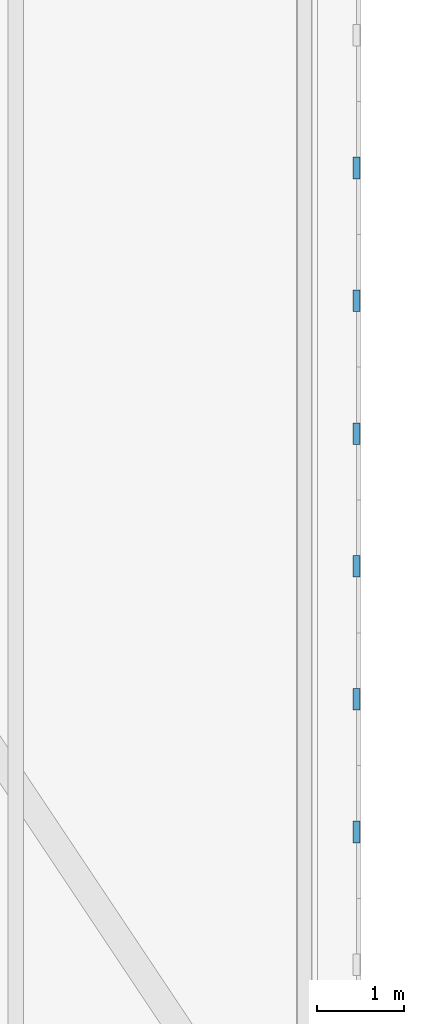
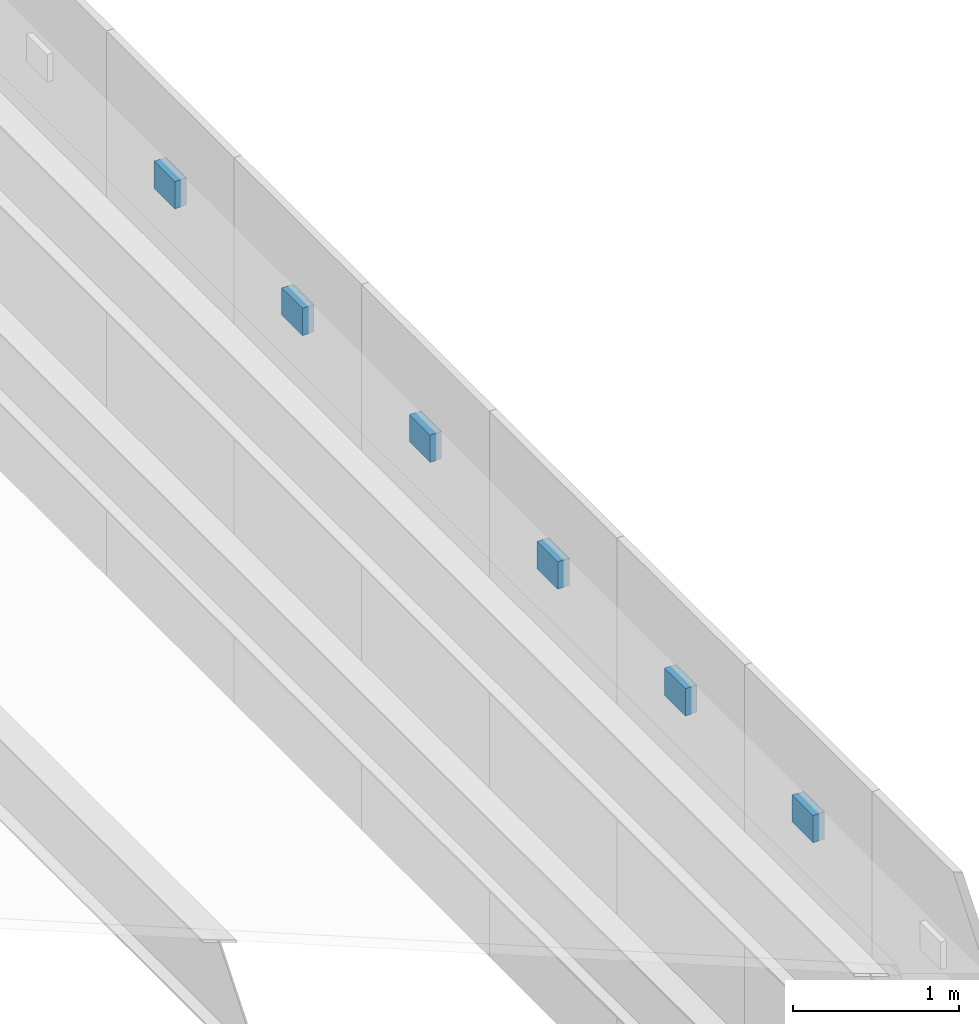
# One storey, part 187 of 278: 6 discrete accessories.
"""IFC4 building model written with IfcOpenShell, lengths in metres."""

from ifc_helpers import new_model, si_unit, direction, frame, origin, origin_2d, place, context, subcontext, project, spatial, rectangle, extrude, material, layer, layer_set, type_object, element, save


model = new_model("IFC4")

# Units and contexts
model_context = context("Model", 3, precision=1e-05, world=origin(), true_north=direction((0.0, 1.0)))
body_context = subcontext(model_context, "Body", "Model", "MODEL_VIEW")
ifc_project = project(units=[si_unit("LENGTHUNIT", "METRE"), si_unit("AREAUNIT", "SQUARE_METRE"), si_unit("VOLUMEUNIT", "CUBIC_METRE"), si_unit("PLANEANGLEUNIT", "RADIAN"), si_unit("MASSUNIT", "GRAM", prefix="KILO")], contexts=[model_context])

# Site, building, storey
site_placement = place(None, origin())
site = spatial("IfcSite", under=ifc_project, at=site_placement, CompositionType="ELEMENT")
building_placement = place(site_placement, origin())
building = spatial("IfcBuilding", under=site, at=building_placement, Name="Ogive Plaza Stadium", CompositionType="ELEMENT")
storey_placement = place(building_placement, frame((0.0, 0.0, 29.0)))
storey = spatial("IfcBuildingStorey", under=building, at=storey_placement, Name="Roof", CompositionType="ELEMENT", Elevation=29.0)

# Discrete accessories
ifc_material = material(Name="Steel ASTM A572 Grade 50", Category="steel")
ifc_layer = layer(ifc_material, 0.080078125)
ifc_layer_set = layer_set([ifc_layer], Name="Steel ASTM A572 Grade 50")
discrete_accessory_type = type_object("IfcDiscreteAccessoryType", Name="Tracery screen bracket 250x200", PredefinedType="BRACKET", material=ifc_layer_set)
for number, where, z_axis, x_axis, name in (
    (1, (84.602294921875, -40.39990234375, 5.25), (0.0, 0.0, 1.0), (0.0, -1.0, 0.0), "TRACERY SCREEN BRACKET B07 2"),
    (2, (84.602294921875, -41.933349609375, 5.25), (0.0, 0.0, 1.0), (0.0, -1.0, 0.0), "TRACERY SCREEN BRACKET B07 3"),
    (3, (84.602294921875, -43.466796875, 5.25), (0.0, 0.0, 1.0), (0.0, -1.0, 0.0), "TRACERY SCREEN BRACKET B07 4"),
    (4, (84.602294921875, -45.0, 5.25), (0.0, 0.0, 1.0), (0.0, -1.0, 0.0), "TRACERY SCREEN BRACKET B07 5"),
    (5, (84.602294921875, -46.533203125, 5.25), (0.0, 0.0, 1.0), (0.0, -1.0, 0.0), "TRACERY SCREEN BRACKET B07 6"),
    (6, (84.602294921875, -48.066650390625, 5.25), (0.0, 0.0, 1.0), (0.0, -1.0, 0.0), "TRACERY SCREEN BRACKET B07 7"),
):
    element("IfcDiscreteAccessory", number, at=place(storey_placement, frame(where, z_axis=z_axis, x_axis=x_axis)), inside=storey, type_object=discrete_accessory_type, Name=name, PredefinedType="BRACKET", context=body_context, shape_type="SweptSolid", body=[
        extrude(rectangle(XDim=0.25, YDim=0.080078125, at=origin_2d()), origin(), (0.0, 0.0, 1.0), 0.199951171875),
    ])

save(model, "model.ifc")
